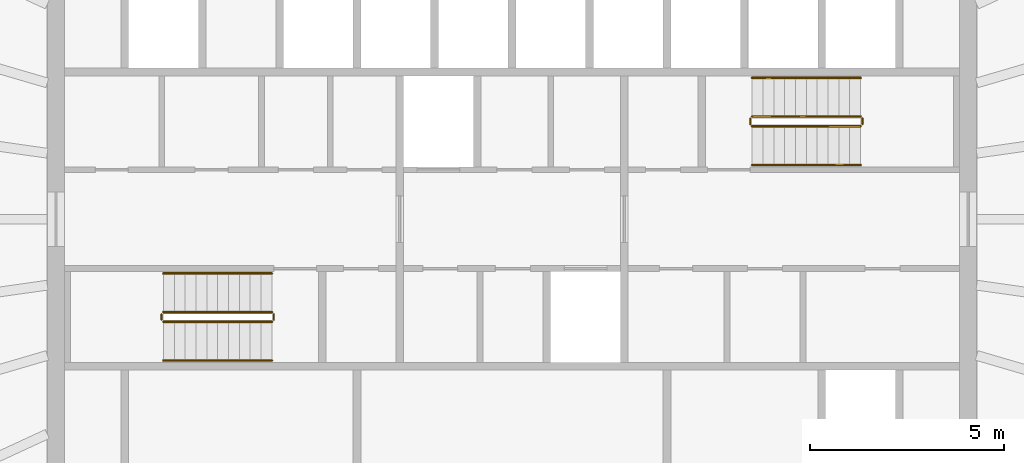
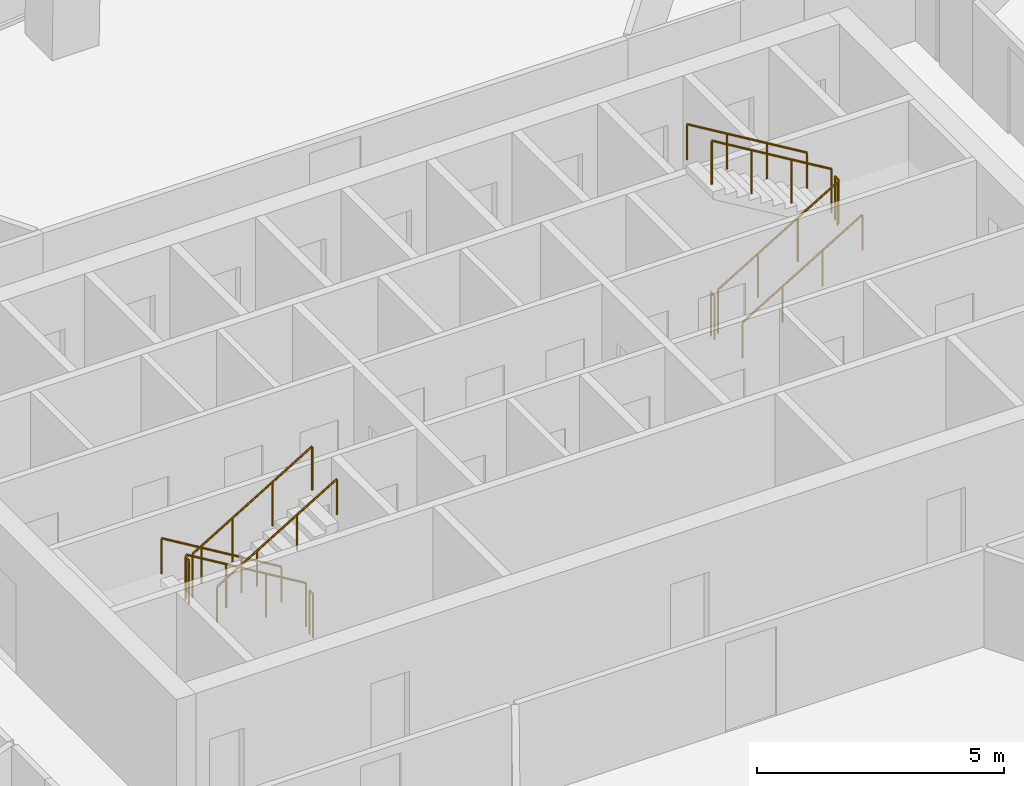
# One storey, part 13 of 13: 12 railings.
"""IFC4 building model written with IfcOpenShell, lengths in metres."""

from ifc_helpers import new_model, si_unit, direction, frame, origin, origin_2d, place, context, subcontext, project, spatial, circle, extrude, material, type_object, element, save


model = new_model("IFC4")

# Units and contexts
model_context = context("Model", 3, precision=1e-05, world=origin(), true_north=direction((0.0, 1.0)))
body_context = subcontext(model_context, "Body", "Model", "MODEL_VIEW")
ifc_project = project(units=[si_unit("LENGTHUNIT", "METRE"), si_unit("AREAUNIT", "SQUARE_METRE"), si_unit("VOLUMEUNIT", "CUBIC_METRE"), si_unit("PLANEANGLEUNIT", "RADIAN"), si_unit("MASSUNIT", "GRAM", prefix="KILO")], contexts=[model_context])

# Site, building, storey
site_placement = place(None, origin())
site = spatial("IfcSite", under=ifc_project, at=site_placement, CompositionType="ELEMENT")
building_placement = place(site_placement, origin())
building = spatial("IfcBuilding", under=site, at=building_placement, Name="Siaravel Broadcast Tower", CompositionType="ELEMENT")
storey_placement = place(building_placement, frame((0.0, 0.0, 171.89990234375)))
storey = spatial("IfcBuildingStorey", under=building, at=storey_placement, Name="L41", CompositionType="ELEMENT", Elevation=171.89990234375)

# Railings
ifc_material = material(Name="Stainless steel 316L", Category="steel")
railing_type_1 = type_object("IfcRailingType", Name="Stair guard 1100", PredefinedType="GUARDRAIL", material=ifc_material)
railing_1_placement = place(storey_placement, frame((-6.199951171875, -2.39990234375, 0.168212890625)))
element("IfcRailing", 1, at=railing_1_placement, inside=storey, type_object=railing_type_1, Name="L41 ST-1 stair guard 1", PredefinedType="GUARDRAIL", context=body_context, shape_type="SweptSolid", body=[
    extrude(circle(Radius=0.02392578125, at=origin_2d()), frame((0.0, 0.0, 1.076171875), z_axis=(-0.857242211, 0.0, 0.514913383), x_axis=(0.0, -1.0, 0.0)), (0.0, 0.0, 1.0), 3.266357421875),
    extrude(circle(Radius=0.02099609375, at=origin_2d()), origin(), (0.0, 0.0, 1.0), 1.052001953125),
    extrude(circle(Radius=0.02099609375, at=origin_2d()), frame((-0.933349609375, 0.0, 0.560546875)), (0.0, 0.0, 1.0), 1.052001953125),
    extrude(circle(Radius=0.02099609375, at=origin_2d()), frame((-1.86669921875, 0.0, 1.121337890625)), (0.0, 0.0, 1.0), 1.052001953125),
    extrude(circle(Radius=0.02099609375, at=origin_2d()), frame((-2.800048828125, 0.0, 1.681884765625)), (0.0, 0.0, 1.0), 1.052001953125),
])
railing_2_placement = place(storey_placement, frame((-9.050048828125, -2.449951171875, 1.85009765625)))
element("IfcRailing", 2, at=railing_2_placement, inside=storey, type_object=railing_type_1, Name="L41 ST-1 stair guard 2", PredefinedType="GUARDRAIL", context=body_context, shape_type="SweptSolid", body=[
    extrude(circle(Radius=0.02392578125, at=origin_2d()), frame((0.0, 0.0, 1.076171875), z_axis=(0.0, -1.0, 0.0), x_axis=(1.0, 0.0, 0.0)), (0.0, 0.0, 1.0), 0.150146484375),
    extrude(circle(Radius=0.02099609375, at=origin_2d()), origin(), (0.0, 0.0, 1.0), 1.052001953125),
    extrude(circle(Radius=0.02099609375, at=origin_2d()), frame((0.0, -0.150146484375, 0.0)), (0.0, 0.0, 1.0), 1.052001953125),
])
railing_3_placement = place(storey_placement, frame((-9.0, -2.64990234375, 2.018310546875)))
element("IfcRailing", 3, at=railing_3_placement, inside=storey, type_object=railing_type_1, Name="L41 ST-1 stair guard 3", PredefinedType="GUARDRAIL", context=body_context, shape_type="SweptSolid", body=[
    extrude(circle(Radius=0.02392578125, at=origin_2d()), frame((0.0, 0.0, 1.076171875), z_axis=(0.857242211, 0.0, 0.514913383), x_axis=(0.0, 1.0, 0.0)), (0.0, 0.0, 1.0), 3.266357421875),
    extrude(circle(Radius=0.02099609375, at=origin_2d()), origin(), (0.0, 0.0, 1.0), 1.052001953125),
    extrude(circle(Radius=0.02099609375, at=origin_2d()), frame((0.933349609375, 0.0, 0.560546875)), (0.0, 0.0, 1.0), 1.052001953125),
    extrude(circle(Radius=0.02099609375, at=origin_2d()), frame((1.86669921875, 0.0, 1.121337890625)), (0.0, 0.0, 1.0), 1.052001953125),
    extrude(circle(Radius=0.02099609375, at=origin_2d()), frame((2.800048828125, 0.0, 1.681884765625)), (0.0, 0.0, 1.0), 1.052001953125),
])
railing_4_placement = place(storey_placement, frame((-6.14990234375, -2.449951171875, 0.0)))
element("IfcRailing", 4, at=railing_4_placement, inside=storey, type_object=railing_type_1, Name="L41 ST-1 stair guard 4", PredefinedType="GUARDRAIL", context=body_context, shape_type="SweptSolid", body=[
    extrude(circle(Radius=0.02392578125, at=origin_2d()), frame((0.0, 0.0, 1.076171875), z_axis=(0.0, -1.0, 0.0), x_axis=(1.0, 0.0, 0.0)), (0.0, 0.0, 1.0), 0.150146484375),
    extrude(circle(Radius=0.02099609375, at=origin_2d()), origin(), (0.0, 0.0, 1.0), 1.052001953125),
    extrude(circle(Radius=0.02099609375, at=origin_2d()), frame((0.0, -0.150146484375, 0.0)), (0.0, 0.0, 1.0), 1.052001953125),
])
railing_5_placement = place(storey_placement, frame((6.199951171875, 2.39990234375, 0.168212890625)))
element("IfcRailing", 5, at=railing_5_placement, inside=storey, type_object=railing_type_1, Name="L41 ST-2 stair guard 1", PredefinedType="GUARDRAIL", context=body_context, shape_type="SweptSolid", body=[
    extrude(circle(Radius=0.02392578125, at=origin_2d()), frame((0.0, 0.0, 1.076171875), z_axis=(0.857242211, 0.0, 0.514913383), x_axis=(0.0, 1.0, 0.0)), (0.0, 0.0, 1.0), 3.266357421875),
    extrude(circle(Radius=0.02099609375, at=origin_2d()), origin(), (0.0, 0.0, 1.0), 1.052001953125),
    extrude(circle(Radius=0.02099609375, at=origin_2d()), frame((0.933349609375, 0.0, 0.560546875)), (0.0, 0.0, 1.0), 1.052001953125),
    extrude(circle(Radius=0.02099609375, at=origin_2d()), frame((1.86669921875, 0.0, 1.121337890625)), (0.0, 0.0, 1.0), 1.052001953125),
    extrude(circle(Radius=0.02099609375, at=origin_2d()), frame((2.800048828125, 0.0, 1.681884765625)), (0.0, 0.0, 1.0), 1.052001953125),
])
railing_6_placement = place(storey_placement, frame((9.050048828125, 2.449951171875, 1.85009765625)))
element("IfcRailing", 6, at=railing_6_placement, inside=storey, type_object=railing_type_1, Name="L41 ST-2 stair guard 2", PredefinedType="GUARDRAIL", context=body_context, shape_type="SweptSolid", body=[
    extrude(circle(Radius=0.02392578125, at=origin_2d()), frame((0.0, 0.0, 1.076171875), z_axis=(0.0, 1.0, 0.0), x_axis=(-1.0, 0.0, 0.0)), (0.0, 0.0, 1.0), 0.150146484375),
    extrude(circle(Radius=0.02099609375, at=origin_2d()), origin(), (0.0, 0.0, 1.0), 1.052001953125),
    extrude(circle(Radius=0.02099609375, at=origin_2d()), frame((0.0, 0.150146484375, 0.0)), (0.0, 0.0, 1.0), 1.052001953125),
])
railing_7_placement = place(storey_placement, frame((9.0, 2.64990234375, 2.018310546875)))
element("IfcRailing", 7, at=railing_7_placement, inside=storey, type_object=railing_type_1, Name="L41 ST-2 stair guard 3", PredefinedType="GUARDRAIL", context=body_context, shape_type="SweptSolid", body=[
    extrude(circle(Radius=0.02392578125, at=origin_2d()), frame((0.0, 0.0, 1.076171875), z_axis=(-0.857242211, 0.0, 0.514913383), x_axis=(0.0, -1.0, 0.0)), (0.0, 0.0, 1.0), 3.266357421875),
    extrude(circle(Radius=0.02099609375, at=origin_2d()), origin(), (0.0, 0.0, 1.0), 1.052001953125),
    extrude(circle(Radius=0.02099609375, at=origin_2d()), frame((-0.933349609375, 0.0, 0.560546875)), (0.0, 0.0, 1.0), 1.052001953125),
    extrude(circle(Radius=0.02099609375, at=origin_2d()), frame((-1.86669921875, 0.0, 1.121337890625)), (0.0, 0.0, 1.0), 1.052001953125),
    extrude(circle(Radius=0.02099609375, at=origin_2d()), frame((-2.800048828125, 0.0, 1.681884765625)), (0.0, 0.0, 1.0), 1.052001953125),
])
railing_8_placement = place(storey_placement, frame((6.14990234375, 2.449951171875, 0.0)))
element("IfcRailing", 8, at=railing_8_placement, inside=storey, type_object=railing_type_1, Name="L41 ST-2 stair guard 4", PredefinedType="GUARDRAIL", context=body_context, shape_type="SweptSolid", body=[
    extrude(circle(Radius=0.02392578125, at=origin_2d()), frame((0.0, 0.0, 1.076171875), z_axis=(0.0, 1.0, 0.0), x_axis=(-1.0, 0.0, 0.0)), (0.0, 0.0, 1.0), 0.150146484375),
    extrude(circle(Radius=0.02099609375, at=origin_2d()), origin(), (0.0, 0.0, 1.0), 1.052001953125),
    extrude(circle(Radius=0.02099609375, at=origin_2d()), frame((0.0, 0.150146484375, 0.0)), (0.0, 0.0, 1.0), 1.052001953125),
])
railing_type_2 = type_object("IfcRailingType", Name="Stair handrail 900", PredefinedType="HANDRAIL", material=ifc_material)
railing_9_placement = place(storey_placement, frame((-6.199951171875, -1.39990234375, 0.168212890625)))
element("IfcRailing", 9, at=railing_9_placement, inside=storey, type_object=railing_type_2, Name="L41 ST-1 stair handrail 1", PredefinedType="HANDRAIL", context=body_context, shape_type="SweptSolid", body=[
    extrude(circle(Radius=0.02392578125, at=origin_2d()), frame((0.0, 0.0, 0.8759765625), z_axis=(-0.857242211, 0.0, 0.514913383), x_axis=(0.0, -1.0, 0.0)), (0.0, 0.0, 1.0), 3.266357421875),
    extrude(circle(Radius=0.02099609375, at=origin_2d()), origin(), (0.0, 0.0, 1.0), 0.851806640625),
    extrude(circle(Radius=0.02099609375, at=origin_2d()), frame((-0.933349609375, 0.0, 0.560546875)), (0.0, 0.0, 1.0), 0.851806640625),
    extrude(circle(Radius=0.02099609375, at=origin_2d()), frame((-1.86669921875, 0.0, 1.121337890625)), (0.0, 0.0, 1.0), 0.851806640625),
    extrude(circle(Radius=0.02099609375, at=origin_2d()), frame((-2.800048828125, 0.0, 1.681884765625)), (0.0, 0.0, 1.0), 0.851806640625),
])
for number, where, name in (
    (10, (-9.0, -3.64990234375, 2.018310546875), "L41 ST-1 stair handrail 2"),
    (11, (6.199951171875, 1.39990234375, 0.168212890625), "L41 ST-2 stair handrail 1"),
):
    element("IfcRailing", number, at=place(storey_placement, frame(where)), inside=storey, type_object=railing_type_2, Name=name, PredefinedType="HANDRAIL", context=body_context, shape_type="SweptSolid", body=[
        extrude(circle(Radius=0.02392578125, at=origin_2d()), frame((0.0, 0.0, 0.8759765625), z_axis=(0.857242211, 0.0, 0.514913383), x_axis=(0.0, 1.0, 0.0)), (0.0, 0.0, 1.0), 3.266357421875),
        extrude(circle(Radius=0.02099609375, at=origin_2d()), origin(), (0.0, 0.0, 1.0), 0.851806640625),
        extrude(circle(Radius=0.02099609375, at=origin_2d()), frame((0.933349609375, 0.0, 0.560546875)), (0.0, 0.0, 1.0), 0.851806640625),
        extrude(circle(Radius=0.02099609375, at=origin_2d()), frame((1.86669921875, 0.0, 1.121337890625)), (0.0, 0.0, 1.0), 0.851806640625),
        extrude(circle(Radius=0.02099609375, at=origin_2d()), frame((2.800048828125, 0.0, 1.681884765625)), (0.0, 0.0, 1.0), 0.851806640625),
    ])
railing_10_placement = place(storey_placement, frame((9.0, 3.64990234375, 2.018310546875)))
element("IfcRailing", 12, at=railing_10_placement, inside=storey, type_object=railing_type_2, Name="L41 ST-2 stair handrail 2", PredefinedType="HANDRAIL", context=body_context, shape_type="SweptSolid", body=[
    extrude(circle(Radius=0.02392578125, at=origin_2d()), frame((0.0, 0.0, 0.8759765625), z_axis=(-0.857242211, 0.0, 0.514913383), x_axis=(0.0, -1.0, 0.0)), (0.0, 0.0, 1.0), 3.266357421875),
    extrude(circle(Radius=0.02099609375, at=origin_2d()), origin(), (0.0, 0.0, 1.0), 0.851806640625),
    extrude(circle(Radius=0.02099609375, at=origin_2d()), frame((-0.933349609375, 0.0, 0.560546875)), (0.0, 0.0, 1.0), 0.851806640625),
    extrude(circle(Radius=0.02099609375, at=origin_2d()), frame((-1.86669921875, 0.0, 1.121337890625)), (0.0, 0.0, 1.0), 0.851806640625),
    extrude(circle(Radius=0.02099609375, at=origin_2d()), frame((-2.800048828125, 0.0, 1.681884765625)), (0.0, 0.0, 1.0), 0.851806640625),
])

save(model, "model.ifc")
